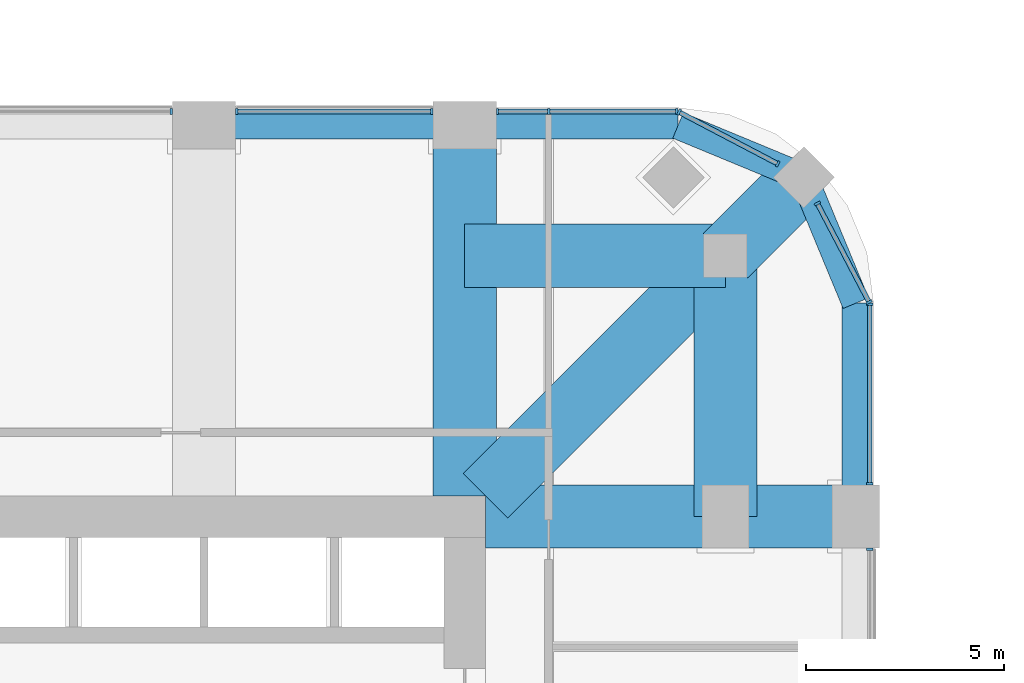
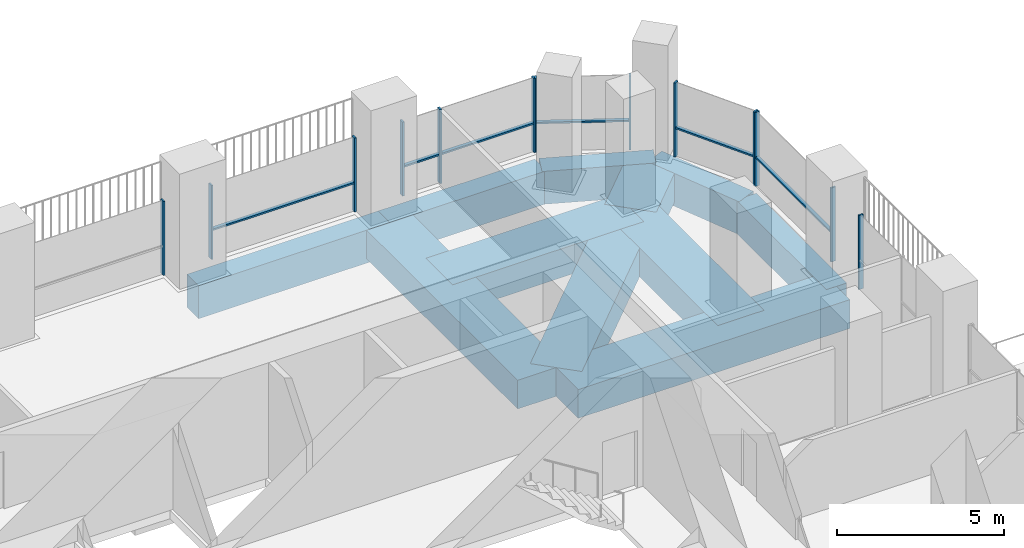
# One storey, part 7 of 20: 19 members, 11 beams, 7 elements without a shape of their own.
"""IFC4 building model written with IfcOpenShell, lengths in metres."""

from ifc_helpers import new_model, si_unit, direction, frame, origin, origin_2d, place, context, subcontext, project, spatial, rectangle, extrude, material, material_profile, profile_set, type_object, element, aggregate, save


model = new_model("IFC4")

# Units and contexts
model_context = context("Model", 3, precision=1e-05, world=origin(), true_north=direction((0.0, 1.0)))
body_context = subcontext(model_context, "Body", "Model", "MODEL_VIEW")
ifc_project = project(units=[si_unit("LENGTHUNIT", "METRE"), si_unit("AREAUNIT", "SQUARE_METRE"), si_unit("VOLUMEUNIT", "CUBIC_METRE"), si_unit("PLANEANGLEUNIT", "RADIAN"), si_unit("MASSUNIT", "GRAM", prefix="KILO")], contexts=[model_context])

# Site, building, storey
site_placement = place(None, origin())
site = spatial("IfcSite", under=ifc_project, at=site_placement, CompositionType="ELEMENT")
building_placement = place(site_placement, origin())
building = spatial("IfcBuilding", under=site, at=building_placement, Name="Cobogo Forest Laboratory Tower", CompositionType="ELEMENT")
storey_placement = place(building_placement, frame((0.0, 0.0, 201.89990234375)))
storey = spatial("IfcBuildingStorey", under=building, at=storey_placement, Name="L46", CompositionType="ELEMENT", Elevation=201.89990234375)

# Beams
ifc_material_1 = material(Name="Concrete HA-50 (C50/60)", Category="concrete")
ifc_material_profile_1 = material_profile(ifc_material_1, rectangle(XDim=1.60009765625, YDim=1.050048828125, at=origin_2d()), Name="RC 1600x1050")
ifc_profile_set_1 = profile_set([ifc_material_profile_1], Name="Concrete HA-50 (C50/60)")
beam_type_1 = type_object("IfcBeamType", Name="Laboratory floor wide beam 1600x1050", PredefinedType="BEAM", material=ifc_profile_set_1)
for number, where, z_axis, x_axis, name in (
    (1, (39.60009765625, 33.52490234375, -0.824951171875), (0.0, 1.0, 0.0), (-1.0, 0.0, 0.0), "RB8 R-7-N L46"),
    (2, (40.125, 33.0, -0.824951171875), (1.0, 0.0, 0.0), (0.0, 1.0, 0.0), "RB8 R-F-E L46"),
):
    element("IfcBeam", number, at=place(storey_placement, frame(where, z_axis=z_axis, x_axis=x_axis)), inside=storey, type_object=beam_type_1, Name=name, PredefinedType="BEAM", context=body_context, shape_type="SweptSolid", body=[
        extrude(rectangle(XDim=1.60009765625, YDim=1.050048828125, at=origin_2d()), origin(), (0.0, 0.0, 1.0), 9.375),
    ])
beam_1_placement = place(storey_placement, frame((46.199951171875, 39.60009765625, -0.824951171875), z_axis=(0.0, -1.0, 0.0), x_axis=(1.0, 0.0, 0.0)))
element("IfcBeam", 3, at=beam_1_placement, inside=storey, type_object=beam_type_1, Name="RB8 G-NE-XC L46", PredefinedType="BEAM", context=body_context, shape_type="SweptSolid", body=[
    extrude(rectangle(XDim=1.60009765625, YDim=1.050048828125, at=origin_2d()), origin(), (0.0, 0.0, 1.0), 6.60009765625),
])
beam_2_placement = place(storey_placement, frame((46.199951171875, 39.60009765625, -0.824951171875), z_axis=(-1.0, 0.0, 0.0), x_axis=(0.0, -1.0, 0.0)))
element("IfcBeam", 4, at=beam_2_placement, inside=storey, type_object=beam_type_1, Name="RB8 G-NE-YC L46", PredefinedType="BEAM", context=body_context, shape_type="SweptSolid", body=[
    extrude(rectangle(XDim=1.60009765625, YDim=1.050048828125, at=origin_2d()), origin(), (0.0, 0.0, 1.0), 6.599853515625),
])
beam_3_placement = place(storey_placement, frame((48.181884765625, 41.58203125, -0.824951171875), z_axis=(-0.707106781187, -0.707106781187, 0.0), x_axis=(0.707106781187, -0.707106781187, 0.0)))
element("IfcBeam", 5, at=beam_3_placement, inside=storey, type_object=beam_type_1, Name="RB8 G-NE-D1 L46", PredefinedType="BEAM", context=body_context, shape_type="SweptSolid", body=[
    extrude(rectangle(XDim=1.60009765625, YDim=1.050048828125, at=origin_2d()), origin(), (0.0, 0.0, 1.0), 2.802978515625),
])
beam_4_placement = place(storey_placement, frame((46.199951171875, 39.60009765625, -0.824951171875), z_axis=(-0.707092572697, -0.70712098939, 0.0), x_axis=(0.70712098939, -0.707092572697, 0.0)))
element("IfcBeam", 6, at=beam_4_placement, inside=storey, type_object=beam_type_1, Name="RB8 G-NE-D2 L46", PredefinedType="BEAM", context=body_context, shape_type="SweptSolid", body=[
    extrude(rectangle(XDim=1.60009765625, YDim=1.050048828125, at=origin_2d()), origin(), (0.0, 0.0, 1.0), 8.591552734375),
])

# Curtain wall, member
ifc_material_2 = material(Name="Aluminium curtain wall", Category="aluminium")
curtain_wall_type = type_object("IfcCurtainWallType", Name="CW-2 unitised curtain wall, solar control glazing, laboratory floors zones C and D", PredefinedType="USERDEFINED", material=ifc_material_2)
curtain_wall_1_placement = place(storey_placement, origin())
curtain_wall_1 = element("IfcCurtainWall", 7, at=curtain_wall_1_placement, inside=storey, type_object=curtain_wall_type, Name="Curtain wall 12 L46", ObjectType="UNITISED CURTAIN WALL", PredefinedType="USERDEFINED")
ifc_material_3 = material(Name="Aluminium mullion", Category="aluminium")
ifc_material_profile_2 = material_profile(ifc_material_3, rectangle(XDim=0.06005859375, YDim=0.159912109375, at=origin_2d()), Name="AL 60x160")
ifc_profile_set_2 = profile_set([ifc_material_profile_2], Name="Aluminium mullion")
member_type_1 = type_object("IfcMemberType", Name="MU-1 aluminium mullion 60x160", PredefinedType="MULLION", material=ifc_profile_set_2)
member_1_placement = place(storey_placement, frame((49.85009765625, 32.169921875, 0.0), z_axis=(0.0, 0.0, 1.0), x_axis=(0.0, 1.0, 0.0)))
member_1 = element("IfcMember", 8, at=member_1_placement, type_object=member_type_1, Name="CW-2 mullion 3", PredefinedType="MULLION", context=body_context, shape_type="SweptSolid", body=[
    extrude(rectangle(XDim=0.06005859375, YDim=0.159912109375, at=origin_2d()), origin(), (0.0, 0.0, 1.0), 2.7001953125),
])
aggregate(curtain_wall_1, [member_1])

# Curtain wall, members
curtain_wall_2_placement = place(storey_placement, origin())
curtain_wall_2 = element("IfcCurtainWall", 9, at=curtain_wall_2_placement, inside=storey, type_object=curtain_wall_type, Name="Curtain wall 13 L46", ObjectType="UNITISED CURTAIN WALL", PredefinedType="USERDEFINED")
member_2_placement = place(storey_placement, frame((49.85009765625, 33.830078125, 0.0), z_axis=(0.0, 0.0, 1.0), x_axis=(0.0, 1.0, 0.0)))
member_2 = element("IfcMember", 10, at=member_2_placement, type_object=member_type_1, Name="CW-2 mullion 1", PredefinedType="MULLION", context=body_context, shape_type="SweptSolid", body=[
    extrude(rectangle(XDim=0.06005859375, YDim=0.159912109375, at=origin_2d()), origin(), (0.0, 0.0, 1.0), 2.7001953125),
])
member_3_placement = place(storey_placement, frame((49.85009765625, 38.3701171875, 0.0), z_axis=(0.0, 0.0, 1.0), x_axis=(0.0, 1.0, 0.0)))
member_3 = element("IfcMember", 11, at=member_3_placement, type_object=member_type_1, Name="CW-2 mullion 2", PredefinedType="MULLION", context=body_context, shape_type="SweptSolid", body=[
    extrude(rectangle(XDim=0.06005859375, YDim=0.159912109375, at=origin_2d()), origin(), (0.0, 0.0, 1.0), 2.7001953125),
])

curtain_wall_3_placement = place(storey_placement, origin())
curtain_wall_3 = element("IfcCurtainWall", 12, at=curtain_wall_3_placement, inside=storey, type_object=curtain_wall_type, Name="Curtain wall 14 L46", ObjectType="UNITISED CURTAIN WALL", PredefinedType="USERDEFINED")
member_4_placement = place(storey_placement, frame((49.836181640625, 38.426513671875, 0.0), z_axis=(0.0, 0.0, 1.0), x_axis=(-0.464283804832, 0.885686484356, 0.0)))
member_4 = element("IfcMember", 13, at=member_4_placement, type_object=member_type_1, Name="CW-2 mullion 1", PredefinedType="MULLION", context=body_context, shape_type="SweptSolid", body=[
    extrude(rectangle(XDim=0.06005859375, YDim=0.159912109375, at=origin_2d()), origin(), (0.0, 0.0, 1.0), 2.7001953125),
])
member_5_placement = place(storey_placement, frame((48.526611328125, 40.924560546875, 0.0), z_axis=(0.0, 0.0, 1.0), x_axis=(-0.464283804832, 0.885686484356, 0.0)))
member_5 = element("IfcMember", 14, at=member_5_placement, type_object=member_type_1, Name="CW-2 mullion 2", PredefinedType="MULLION", context=body_context, shape_type="SweptSolid", body=[
    extrude(rectangle(XDim=0.06005859375, YDim=0.159912109375, at=origin_2d()), origin(), (0.0, 0.0, 1.0), 2.7001953125),
])

curtain_wall_4_placement = place(storey_placement, origin())
curtain_wall_4 = element("IfcCurtainWall", 15, at=curtain_wall_4_placement, inside=storey, type_object=curtain_wall_type, Name="Curtain wall 15 L46", ObjectType="UNITISED CURTAIN WALL", PredefinedType="USERDEFINED")
member_6_placement = place(storey_placement, frame((47.5244140625, 41.9267578125, 0.0), z_axis=(0.0, 0.0, 1.0), x_axis=(-0.885686484356, 0.464283804832, 0.0)))
member_6 = element("IfcMember", 16, at=member_6_placement, type_object=member_type_1, Name="CW-2 mullion 1", PredefinedType="MULLION", context=body_context, shape_type="SweptSolid", body=[
    extrude(rectangle(XDim=0.06005859375, YDim=0.159912109375, at=origin_2d()), origin(), (0.0, 0.0, 1.0), 2.7001953125),
])
member_7_placement = place(storey_placement, frame((45.026611328125, 43.236083984375, 0.0), z_axis=(0.0, 0.0, 1.0), x_axis=(-0.885686484356, 0.464283804832, 0.0)))
member_7 = element("IfcMember", 17, at=member_7_placement, type_object=member_type_1, Name="CW-2 mullion 2", PredefinedType="MULLION", context=body_context, shape_type="SweptSolid", body=[
    extrude(rectangle(XDim=0.06005859375, YDim=0.159912109375, at=origin_2d()), origin(), (0.0, 0.0, 1.0), 2.7001953125),
])

curtain_wall_5_placement = place(storey_placement, origin())
curtain_wall_5 = element("IfcCurtainWall", 18, at=curtain_wall_5_placement, inside=storey, type_object=curtain_wall_type, Name="Curtain wall 16 L46", ObjectType="UNITISED CURTAIN WALL", PredefinedType="USERDEFINED")
member_8_placement = place(storey_placement, frame((44.969970703125, 43.25, 0.0), z_axis=(0.0, 0.0, 1.0), x_axis=(-1.0, 0.0, 0.0)))
member_8 = element("IfcMember", 19, at=member_8_placement, type_object=member_type_1, Name="CW-2 mullion 1", PredefinedType="MULLION", context=body_context, shape_type="SweptSolid", body=[
    extrude(rectangle(XDim=0.06005859375, YDim=0.159912109375, at=origin_2d()), origin(), (0.0, 0.0, 1.0), 2.7001953125),
])
member_9_placement = place(storey_placement, frame((41.72509765625, 43.25, 0.0), z_axis=(0.0, 0.0, 1.0), x_axis=(-1.0, 0.0, 0.0)))
member_9 = element("IfcMember", 20, at=member_9_placement, type_object=member_type_1, Name="CW-2 mullion 2", PredefinedType="MULLION", context=body_context, shape_type="SweptSolid", body=[
    extrude(rectangle(XDim=0.06005859375, YDim=0.159912109375, at=origin_2d()), origin(), (0.0, 0.0, 1.0), 2.7001953125),
])
member_10_placement = place(storey_placement, frame((40.429931640625, 43.25, 0.0), z_axis=(0.0, 0.0, 1.0), x_axis=(-1.0, 0.0, 0.0)))
member_10 = element("IfcMember", 21, at=member_10_placement, type_object=member_type_1, Name="CW-2 mullion 3", PredefinedType="MULLION", context=body_context, shape_type="SweptSolid", body=[
    extrude(rectangle(XDim=0.06005859375, YDim=0.159912109375, at=origin_2d()), origin(), (0.0, 0.0, 1.0), 2.7001953125),
])

curtain_wall_6_placement = place(storey_placement, origin())
curtain_wall_6 = element("IfcCurtainWall", 22, at=curtain_wall_6_placement, inside=storey, type_object=curtain_wall_type, Name="Curtain wall 17 L46", ObjectType="UNITISED CURTAIN WALL", PredefinedType="USERDEFINED")
member_11_placement = place(storey_placement, frame((38.77001953125, 43.25, 0.0), z_axis=(0.0, 0.0, 1.0), x_axis=(-1.0, 0.0, 0.0)))
member_11 = element("IfcMember", 23, at=member_11_placement, type_object=member_type_1, Name="CW-2 mullion 1", PredefinedType="MULLION", context=body_context, shape_type="SweptSolid", body=[
    extrude(rectangle(XDim=0.06005859375, YDim=0.159912109375, at=origin_2d()), origin(), (0.0, 0.0, 1.0), 2.7001953125),
])
member_12_placement = place(storey_placement, frame((33.830078125, 43.25, 0.0), z_axis=(0.0, 0.0, 1.0), x_axis=(-1.0, 0.0, 0.0)))
member_12 = element("IfcMember", 24, at=member_12_placement, type_object=member_type_1, Name="CW-2 mullion 2", PredefinedType="MULLION", context=body_context, shape_type="SweptSolid", body=[
    extrude(rectangle(XDim=0.06005859375, YDim=0.159912109375, at=origin_2d()), origin(), (0.0, 0.0, 1.0), 2.7001953125),
])

# Curtain wall, member
curtain_wall_7_placement = place(storey_placement, origin())
curtain_wall_7 = element("IfcCurtainWall", 25, at=curtain_wall_7_placement, inside=storey, type_object=curtain_wall_type, Name="Curtain wall 18 L46", ObjectType="UNITISED CURTAIN WALL", PredefinedType="USERDEFINED")
member_13_placement = place(storey_placement, frame((32.169921875, 43.25, 0.0), z_axis=(0.0, 0.0, 1.0), x_axis=(-1.0, 0.0, 0.0)))
member_13 = element("IfcMember", 26, at=member_13_placement, type_object=member_type_1, Name="CW-2 mullion 1", PredefinedType="MULLION", context=body_context, shape_type="SweptSolid", body=[
    extrude(rectangle(XDim=0.06005859375, YDim=0.159912109375, at=origin_2d()), origin(), (0.0, 0.0, 1.0), 2.7001953125),
])
aggregate(curtain_wall_7, [member_13])

# Beams
ifc_material_4 = material(Name="Concrete HA-40 (C40/50)", Category="concrete")
ifc_material_profile_3 = material_profile(ifc_material_4, rectangle(XDim=0.699951171875, YDim=1.199951171875, at=origin_2d()), Name="RC 700x1200")
ifc_profile_set_3 = profile_set([ifc_material_profile_3], Name="Concrete HA-40 (C40/50)")
beam_type_2 = type_object("IfcBeamType", Name="Perimeter edge beam 700x1200", PredefinedType="BEAM", material=ifc_profile_set_3)
beam_5_placement = place(storey_placement, frame((33.0, 42.89990234375, -0.89990234375), z_axis=(1.0, 0.0, 0.0), x_axis=(0.0, 1.0, 0.0)))
element("IfcBeam", 27, at=beam_5_placement, inside=storey, type_object=beam_type_2, Name="EB1 E-N4 L46", PredefinedType="BEAM", context=body_context, shape_type="SweptSolid", body=[
    extrude(rectangle(XDim=0.699951171875, YDim=1.199951171875, at=origin_2d()), origin(), (0.0, 0.0, 1.0), 6.60009765625),
])
beam_6_placement = place(storey_placement, frame((49.5, 33.0, -0.89990234375), z_axis=(0.0, 1.0, 0.0), x_axis=(-1.0, 0.0, 0.0)))
element("IfcBeam", 28, at=beam_6_placement, inside=storey, type_object=beam_type_2, Name="EB1 E-NEE1 L46", PredefinedType="BEAM", context=body_context, shape_type="SweptSolid", body=[
    extrude(rectangle(XDim=0.699951171875, YDim=1.199951171875, at=origin_2d()), origin(), (0.0, 0.0, 1.0), 5.39990234375),
])
beam_7_placement = place(storey_placement, frame((49.5, 38.39990234375, -0.89990234375), z_axis=(-0.382691928466, 0.923876013265, 0.0), x_axis=(-0.923876013265, -0.382691928466, 0.0)))
element("IfcBeam", 29, at=beam_7_placement, inside=storey, type_object=beam_type_2, Name="EB1 E-NEE2 L46", PredefinedType="BEAM", context=body_context, shape_type="SweptSolid", body=[
    extrude(rectangle(XDim=0.699951171875, YDim=1.199951171875, at=origin_2d()), origin(), (0.0, 0.0, 1.0), 3.4443359375),
])
beam_8_placement = place(storey_placement, frame((39.60009765625, 42.89990234375, -0.89990234375), z_axis=(1.0, 0.0, 0.0), x_axis=(0.0, 1.0, 0.0)))
element("IfcBeam", 30, at=beam_8_placement, inside=storey, type_object=beam_type_2, Name="EB1 E-NEN1 L46", PredefinedType="BEAM", context=body_context, shape_type="SweptSolid", body=[
    extrude(rectangle(XDim=0.699951171875, YDim=1.199951171875, at=origin_2d()), origin(), (0.0, 0.0, 1.0), 5.39990234375),
])
beam_9_placement = place(storey_placement, frame((45.0, 42.89990234375, -0.89990234375), z_axis=(0.923890694089, -0.382656484822, 0.0), x_axis=(0.382656484822, 0.923890694089, 0.0)))
element("IfcBeam", 31, at=beam_9_placement, inside=storey, type_object=beam_type_2, Name="EB1 E-NEN2 L46", PredefinedType="BEAM", context=body_context, shape_type="SweptSolid", body=[
    extrude(rectangle(XDim=0.699951171875, YDim=1.199951171875, at=origin_2d()), origin(), (0.0, 0.0, 1.0), 3.444091796875),
])

# Member
ifc_material_5 = material(Name="Aluminium transom", Category="aluminium")
ifc_material_profile_4 = material_profile(ifc_material_5, rectangle(XDim=0.1201171875, YDim=0.06005859375, at=origin_2d()), Name="AL 60x120")
ifc_profile_set_4 = profile_set([ifc_material_profile_4], Name="Aluminium transom")
member_type_2 = type_object("IfcMemberType", Name="TR-1 aluminium transom 60x120", PredefinedType="USERDEFINED", material=ifc_profile_set_4)
member_14_placement = place(storey_placement, frame((49.85009765625, 33.860107421875, 1.050048828125), z_axis=(0.0, 1.0, 0.0), x_axis=(-1.0, 0.0, 0.0)))
member_14 = element("IfcMember", 32, at=member_14_placement, type_object=member_type_2, Name="CW-2 transom 1.1", ObjectType="TRANSOM", PredefinedType="USERDEFINED", context=body_context, shape_type="SweptSolid", body=[
    extrude(rectangle(XDim=0.1201171875, YDim=0.06005859375, at=origin_2d()), origin(), (0.0, 0.0, 1.0), 4.47998046875),
])

aggregate(curtain_wall_2, [member_2, member_3, member_14])

member_15_placement = place(storey_placement, frame((49.822021484375, 38.453125, 1.050048828125), z_axis=(-0.464254846591, 0.88570166389, 0.0), x_axis=(-0.88570166389, -0.464254846591, 0.0)))
member_15 = element("IfcMember", 33, at=member_15_placement, type_object=member_type_2, Name="CW-2 transom 1.1", ObjectType="TRANSOM", PredefinedType="USERDEFINED", context=body_context, shape_type="SweptSolid", body=[
    extrude(rectangle(XDim=0.1201171875, YDim=0.06005859375, at=origin_2d()), origin(), (0.0, 0.0, 1.0), 2.76025390625),
])

aggregate(curtain_wall_3, [member_4, member_5, member_15])

member_16_placement = place(storey_placement, frame((47.497802734375, 41.940673828125, 1.050048828125), z_axis=(-0.885682598583, 0.464291217414, 0.0), x_axis=(-0.464291217414, -0.885682598583, 0.0)))
member_16 = element("IfcMember", 34, at=member_16_placement, type_object=member_type_2, Name="CW-2 transom 1.1", ObjectType="TRANSOM", PredefinedType="USERDEFINED", context=body_context, shape_type="SweptSolid", body=[
    extrude(rectangle(XDim=0.1201171875, YDim=0.06005859375, at=origin_2d()), origin(), (0.0, 0.0, 1.0), 2.760009765625),
])

aggregate(curtain_wall_4, [member_6, member_7, member_16])

member_17_placement = place(storey_placement, frame((44.93994140625, 43.25, 1.050048828125), z_axis=(-1.0, 0.0, 0.0), x_axis=(0.0, -1.0, 0.0)))
member_17 = element("IfcMember", 35, at=member_17_placement, type_object=member_type_2, Name="CW-2 transom 1.1", ObjectType="TRANSOM", PredefinedType="USERDEFINED", context=body_context, shape_type="SweptSolid", body=[
    extrude(rectangle(XDim=0.1201171875, YDim=0.06005859375, at=origin_2d()), origin(), (0.0, 0.0, 1.0), 3.18505859375),
])

member_18_placement = place(storey_placement, frame((41.695068359375, 43.25, 1.050048828125), z_axis=(-1.0, 0.0, 0.0), x_axis=(0.0, -1.0, 0.0)))
member_18 = element("IfcMember", 36, at=member_18_placement, type_object=member_type_2, Name="CW-2 transom 2.1", ObjectType="TRANSOM", PredefinedType="USERDEFINED", context=body_context, shape_type="SweptSolid", body=[
    extrude(rectangle(XDim=0.1201171875, YDim=0.06005859375, at=origin_2d()), origin(), (0.0, 0.0, 1.0), 1.235107421875),
])

aggregate(curtain_wall_5, [member_8, member_9, member_10, member_17, member_18])

member_19_placement = place(storey_placement, frame((38.739990234375, 43.25, 1.050048828125), z_axis=(-1.0, 0.0, 0.0), x_axis=(0.0, -1.0, 0.0)))
member_19 = element("IfcMember", 37, at=member_19_placement, type_object=member_type_2, Name="CW-2 transom 1.1", ObjectType="TRANSOM", PredefinedType="USERDEFINED", context=body_context, shape_type="SweptSolid", body=[
    extrude(rectangle(XDim=0.1201171875, YDim=0.06005859375, at=origin_2d()), origin(), (0.0, 0.0, 1.0), 4.8798828125),
])

aggregate(curtain_wall_6, [member_11, member_12, member_19])

save(model, "model.ifc")
